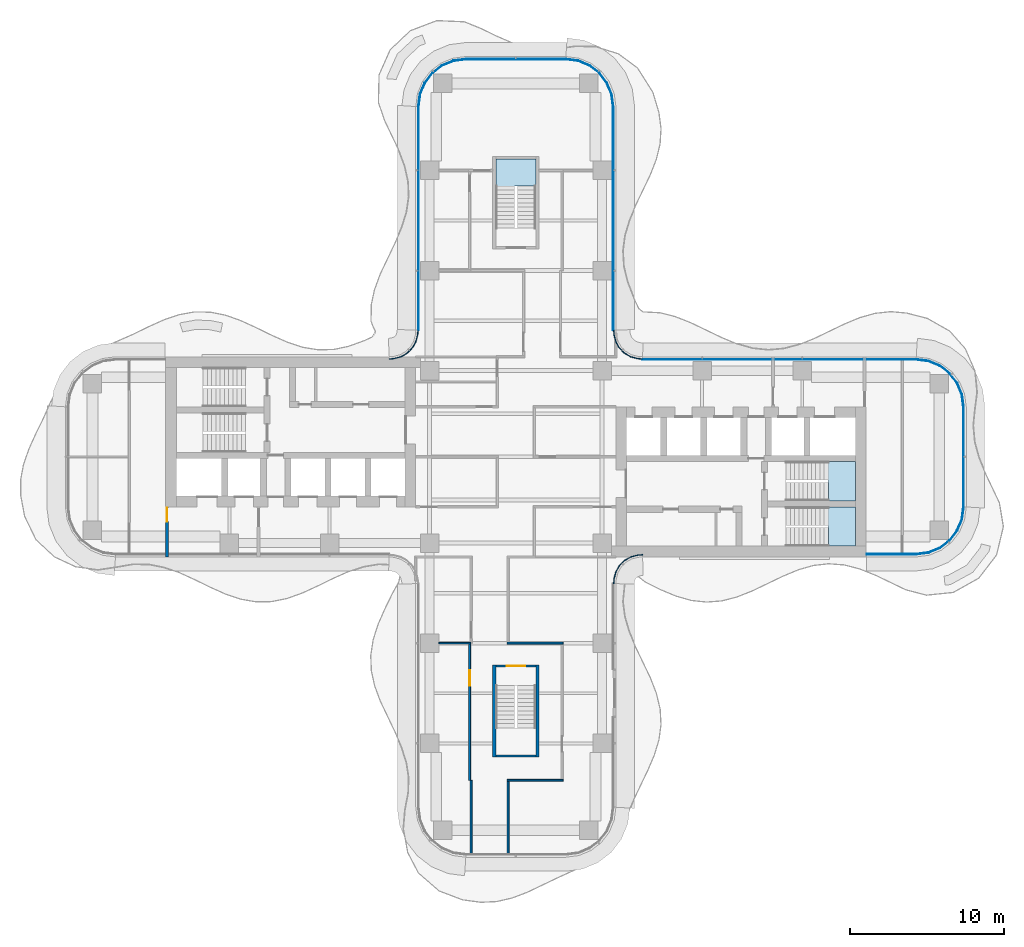
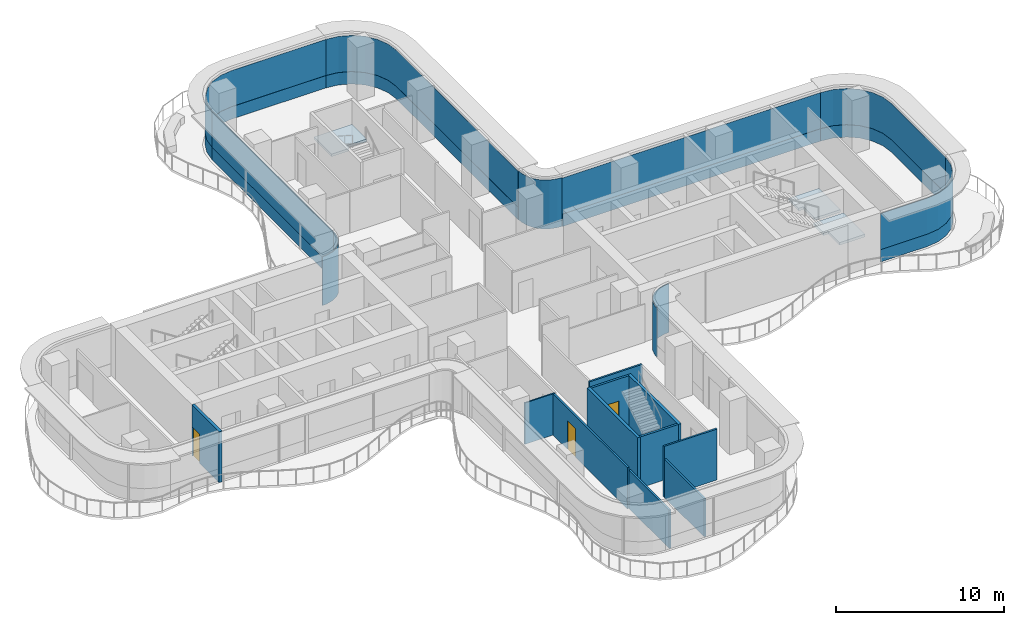
# One storey, part 11 of 17: 15 plates, 11 walls, 3 doors, 3 slabs, 3 openings, 12 elements without a shape of their own.
"""IFC4 building model written with IfcOpenShell, lengths in metres."""

from ifc_helpers import new_model, si_unit, direction, frame, frame_2d, origin, place, context, subcontext, project, spatial, polyline, rectangle, outline, extrude, source, transform, mapped, material, layer, layer_set, type_object, element, fill, aggregate, save


model = new_model("IFC4")

# Units and contexts
model_context = context("Model", 3, precision=1e-05, world=origin(), true_north=direction((0.0, 1.0)))
body_context = subcontext(model_context, "Body", "Model", "MODEL_VIEW")
ifc_project = project(units=[si_unit("LENGTHUNIT", "METRE"), si_unit("AREAUNIT", "SQUARE_METRE"), si_unit("VOLUMEUNIT", "CUBIC_METRE"), si_unit("PLANEANGLEUNIT", "RADIAN"), si_unit("MASSUNIT", "GRAM", prefix="KILO")], contexts=[model_context])

# Site, building, storey
site_placement = place(None, origin())
site = spatial("IfcSite", under=ifc_project, at=site_placement, CompositionType="ELEMENT")
building_placement = place(site_placement, origin())
building = spatial("IfcBuilding", under=site, at=building_placement, Name="Trellis Farm Tower", CompositionType="ELEMENT")
storey_placement = place(building_placement, frame((0.0, 0.0, 165.89990234375)))
storey = spatial("IfcBuildingStorey", under=building, at=storey_placement, Name="L35", CompositionType="ELEMENT", Elevation=165.89990234375)

# Curtain wall, plates
ifc_material_1 = material(Name="Aluminium and glass curtain wall", Category="aluminium")
ifc_layer_1 = layer(ifc_material_1, 0.18994140625)
ifc_layer_set_1 = layer_set([ifc_layer_1], Name="RIBBON CURTAIN WALL CW1")
curtain_wall_type_1 = type_object("IfcCurtainWallType", Name="RIBBON CURTAIN WALL CW1", PredefinedType="NOTDEFINED", material=ifc_layer_set_1)
placement_1 = place(storey_placement, origin())
curtain_wall_1 = element("IfcCurtainWall", 1, at=placement_1, inside=storey, type_object=curtain_wall_type_1, Name="CW1 009", PredefinedType="NOTDEFINED")
ifc_material_2 = material(Name="Clear insulated glass", Category="glass")
ifc_layer_2 = layer(ifc_material_2, 0.0400390625)
ifc_layer_set_2 = layer_set([ifc_layer_2], Name="CW1 GLASS PANEL 40")
plate_type_1 = type_object("IfcPlateType", Name="CW1 GLASS PANEL 40", PredefinedType="CURTAIN_PANEL", material=ifc_layer_set_2)
placement_2 = place(storey_placement, frame((0.0, 0.0, 0.900146484375)))
plate_1 = element("IfcPlate", 2, at=placement_2, type_object=plate_type_1, Name="PL1 009", PredefinedType="CURTAIN_PANEL", context=body_context, shape_type="SweptSolid", body=[
    extrude(outline(polyline([(6.35009765625, 8.2265625), (6.35009765625, 22.740234375), (6.2431640625, 23.552001953125), (5.93359375, 24.29931640625), (5.441162109375, 24.941162109375), (4.79931640625, 25.43359375), (4.052001953125, 25.7431640625), (3.240234375, 25.85009765625), (3.237548828125, 25.81005859375), (4.04150390625, 25.7041015625), (4.779296875, 25.398681640625), (5.41259765625, 24.91259765625), (5.898681640625, 24.279296875), (6.2041015625, 23.54150390625), (6.31005859375, 22.737548828125), (6.31005859375, 8.22509765625), (6.35009765625, 8.2265625)])), origin(), (0.0, 0.0, 1.0), 2.619873046875),
])
ifc_material_3 = material(Name="Sandstone faced insulated panel", Category="masonry")
ifc_layer_3 = layer(ifc_material_3, 0.050048828125)
ifc_layer_set_3 = layer_set([ifc_layer_3], Name="CW1 STONE SPANDREL PANEL 50")
plate_type_2 = type_object("IfcPlateType", Name="CW1 STONE SPANDREL PANEL 50", PredefinedType="CURTAIN_PANEL", material=ifc_layer_set_3)
plate_2 = element("IfcPlate", 3, at=placement_1, type_object=plate_type_2, Name="PS1 009", PredefinedType="CURTAIN_PANEL", context=body_context, shape_type="SweptSolid", body=[
    extrude(outline(polyline([(6.35009765625, 8.2265625), (6.35009765625, 22.740234375), (6.2431640625, 23.552001953125), (5.93359375, 24.29931640625), (5.441162109375, 24.941162109375), (4.79931640625, 25.43359375), (4.052001953125, 25.7431640625), (3.240234375, 25.85009765625), (3.23681640625, 25.800048828125), (4.0390625, 25.6943359375), (4.774169921875, 25.389892578125), (5.405517578125, 24.905517578125), (5.889892578125, 24.274169921875), (6.1943359375, 23.5390625), (6.300048828125, 22.73681640625), (6.300048828125, 8.224853515625), (6.35009765625, 8.2265625)])), origin(), (0.0, 0.0, 1.0), 0.900146484375),
])
aggregate(curtain_wall_1, [plate_1, plate_2])

# Stair, slab
ifc_material_4 = material(Name="Concrete C50/60", Category="concrete")
stair_type = type_object("IfcStairType", Name="CORE EXIT STAIR 22 RISERS 177 MM", PredefinedType="HALF_TURN_STAIR", material=ifc_material_4)
stair_1 = element("IfcStair", 4, at=placement_1, inside=storey, type_object=stair_type, Name="Exit stair N", PredefinedType="HALF_TURN_STAIR")
ifc_layer_4 = layer(ifc_material_4, 0.18994140625)
ifc_layer_set_4 = layer_set([ifc_layer_4], Name="CORE STAIR LANDING 190 CONCRETE C50/60")
slab_type = type_object("IfcSlabType", Name="CORE STAIR LANDING 190 CONCRETE C50/60", PredefinedType="LANDING", material=ifc_layer_set_4)
shared_shape_1 = source(origin(), body_context, "Body", "SweptSolid", [
    extrude(outline(polyline([(-0.10009765625, 17.27197265625), (-1.300048828125, 17.27197265625), (-1.300048828125, 17.60009765625), (-1.300048828125, 19.35009765625), (1.300048828125, 19.35009765625), (1.300048828125, 17.60009765625), (1.300048828125, 17.590087890625), (0.10009765625, 17.590087890625), (0.10009765625, 17.60009765625), (-0.10009765625, 17.60009765625), (-0.10009765625, 17.27197265625)])), origin(), (0.0, 0.0, 1.0), 0.190185546875),
])
placement_3 = place(storey_placement, frame((0.0, 0.0, 1.760009765625)))
slab_1 = element("IfcSlab", 5, at=placement_3, type_object=slab_type, Name="STN landing 1", PredefinedType="LANDING", context=body_context, shape_type="MappedRepresentation", body=[
    mapped(shared_shape_1, transform((0.0, 0.0, 0.0))),
])
aggregate(stair_1, [slab_1])

stair_2 = element("IfcStair", 6, at=placement_1, inside=storey, type_object=stair_type, Name="Exit stair E1", PredefinedType="HALF_TURN_STAIR")
shared_shape_2 = source(origin(), body_context, "Body", "SweptSolid", [
    extrude(outline(polyline([(20.2900390625, -5.800048828125), (20.2900390625, -4.60009765625), (20.300048828125, -4.60009765625), (20.300048828125, -4.449951171875), (19.971923828125, -4.449951171875), (19.971923828125, -3.25), (20.300048828125, -3.25), (22.050048828125, -3.25), (22.050048828125, -5.800048828125), (20.300048828125, -5.800048828125), (20.2900390625, -5.800048828125)])), origin(), (0.0, 0.0, 1.0), 0.190185546875),
])
slab_2 = element("IfcSlab", 7, at=placement_3, type_object=slab_type, Name="STE1 landing 1", PredefinedType="LANDING", context=body_context, shape_type="MappedRepresentation", body=[
    mapped(shared_shape_2, transform((0.0, 0.0, 0.0))),
])
aggregate(stair_2, [slab_2])

stair_3 = element("IfcStair", 8, at=placement_1, inside=storey, type_object=stair_type, Name="Exit stair E2", PredefinedType="HALF_TURN_STAIR")
shared_shape_3 = source(origin(), body_context, "Body", "SweptSolid", [
    extrude(outline(polyline([(20.2900390625, -2.85009765625), (20.2900390625, -1.64990234375), (20.300048828125, -1.64990234375), (20.300048828125, -1.5), (19.971923828125, -1.5), (19.971923828125, -0.300048828125), (20.300048828125, -0.300048828125), (22.050048828125, -0.300048828125), (22.050048828125, -2.85009765625), (20.300048828125, -2.85009765625), (20.2900390625, -2.85009765625)])), origin(), (0.0, 0.0, 1.0), 0.190185546875),
])
slab_3 = element("IfcSlab", 9, at=placement_3, type_object=slab_type, Name="STE2 landing 1", PredefinedType="LANDING", context=body_context, shape_type="MappedRepresentation", body=[
    mapped(shared_shape_3, transform((0.0, 0.0, 0.0))),
])
aggregate(stair_3, [slab_3])

# Curtain wall, plate
ifc_layer_5 = layer(ifc_material_1, 0.166015625)
ifc_layer_set_5 = layer_set([ifc_layer_5], Name="WINTER GARDEN CURTAIN WALL CW3")
curtain_wall_type_2 = type_object("IfcCurtainWallType", Name="WINTER GARDEN CURTAIN WALL CW3", PredefinedType="NOTDEFINED", material=ifc_layer_set_5)
curtain_wall_2 = element("IfcCurtainWall", 10, at=placement_1, inside=storey, type_object=curtain_wall_type_2, Name="CW3 002", PredefinedType="NOTDEFINED")
ifc_layer_6 = layer(ifc_material_2, 0.0458984375)
ifc_layer_set_6 = layer_set([ifc_layer_6], Name="CW3 GLASS PANEL 46")
plate_type_3 = type_object("IfcPlateType", Name="CW3 GLASS PANEL 46", PredefinedType="CURTAIN_PANEL", material=ifc_layer_set_6)
shared_shape_4 = source(origin(), body_context, "Body", "SweptSolid", [
    extrude(outline(polyline([(6.3798828125, -8.2275390625), (6.394287109375, -8.0078125), (6.40966796875, -7.89208984375), (6.52490234375, -7.462158203125), (6.7509765625, -7.070556640625), (7.070556640625, -6.7509765625), (7.462158203125, -6.52490234375), (7.89208984375, -6.40966796875), (8.0078125, -6.394287109375), (8.2275390625, -6.3798828125), (8.22607421875, -6.333984375), (8.003173828125, -6.3486328125), (7.883056640625, -6.364501953125), (7.4443359375, -6.48193359375), (7.04248046875, -6.714111328125), (6.714111328125, -7.04248046875), (6.48193359375, -7.4443359375), (6.364501953125, -7.883056640625), (6.3486328125, -8.003173828125), (6.333984375, -8.22607421875), (6.3798828125, -8.2275390625)])), origin(), (0.0, 0.0, 1.0), 3.550048828125),
])
plate_3 = element("IfcPlate", 11, at=placement_1, type_object=plate_type_3, Name="PL3 002", PredefinedType="CURTAIN_PANEL", context=body_context, shape_type="MappedRepresentation", body=[
    mapped(shared_shape_4, transform((0.0, 0.0, 0.0))),
])
aggregate(curtain_wall_2, [plate_3])

curtain_wall_3 = element("IfcCurtainWall", 12, at=placement_1, inside=storey, type_object=curtain_wall_type_2, Name="CW3 003", PredefinedType="NOTDEFINED")
shared_shape_5 = source(origin(), body_context, "Body", "SweptSolid", [
    extrude(outline(polyline([(8.2275390625, 6.3798828125), (8.0078125, 6.394287109375), (7.89208984375, 6.40966796875), (7.462158203125, 6.52490234375), (7.070556640625, 6.7509765625), (6.7509765625, 7.070556640625), (6.52490234375, 7.462158203125), (6.40966796875, 7.89208984375), (6.394287109375, 8.0078125), (6.3798828125, 8.2275390625), (6.333984375, 8.22607421875), (6.3486328125, 8.003173828125), (6.364501953125, 7.883056640625), (6.48193359375, 7.4443359375), (6.714111328125, 7.04248046875), (7.04248046875, 6.714111328125), (7.4443359375, 6.48193359375), (7.883056640625, 6.364501953125), (8.003173828125, 6.3486328125), (8.22607421875, 6.333984375), (8.2275390625, 6.3798828125)])), origin(), (0.0, 0.0, 1.0), 3.550048828125),
])
plate_4 = element("IfcPlate", 13, at=placement_1, type_object=plate_type_3, Name="PL3 003", PredefinedType="CURTAIN_PANEL", context=body_context, shape_type="MappedRepresentation", body=[
    mapped(shared_shape_5, transform((0.0, 0.0, 0.0))),
])
aggregate(curtain_wall_3, [plate_4])

curtain_wall_4 = element("IfcCurtainWall", 14, at=placement_1, inside=storey, type_object=curtain_wall_type_2, Name="CW3 004", PredefinedType="NOTDEFINED")
shared_shape_6 = source(origin(), body_context, "Body", "SweptSolid", [
    extrude(outline(polyline([(-6.3798828125, 8.2275390625), (-6.394287109375, 8.0078125), (-6.40966796875, 7.89208984375), (-6.52490234375, 7.462158203125), (-6.7509765625, 7.070556640625), (-7.070556640625, 6.7509765625), (-7.462158203125, 6.52490234375), (-7.89208984375, 6.40966796875), (-8.0078125, 6.394287109375), (-8.2275390625, 6.3798828125), (-8.22607421875, 6.333984375), (-8.003173828125, 6.3486328125), (-7.883056640625, 6.364501953125), (-7.4443359375, 6.48193359375), (-7.04248046875, 6.714111328125), (-6.714111328125, 7.04248046875), (-6.48193359375, 7.4443359375), (-6.364501953125, 7.883056640625), (-6.3486328125, 8.003173828125), (-6.333984375, 8.22607421875), (-6.3798828125, 8.2275390625)])), origin(), (0.0, 0.0, 1.0), 3.550048828125),
])
plate_5 = element("IfcPlate", 15, at=placement_1, type_object=plate_type_3, Name="PL3 004", PredefinedType="CURTAIN_PANEL", context=body_context, shape_type="MappedRepresentation", body=[
    mapped(shared_shape_6, transform((0.0, 0.0, 0.0))),
])
aggregate(curtain_wall_4, [plate_5])

# Curtain wall, plates
curtain_wall_5 = element("IfcCurtainWall", 16, at=placement_1, inside=storey, type_object=curtain_wall_type_1, Name="CW1 006", PredefinedType="NOTDEFINED")
shared_shape_7 = source(origin(), body_context, "Body", "SweptSolid", [
    extrude(outline(polyline([(22.780029296875, -6.35009765625), (25.990234375, -6.35009765625), (26.802001953125, -6.2431640625), (27.54931640625, -5.93359375), (28.191162109375, -5.441162109375), (28.68359375, -4.79931640625), (28.9931640625, -4.052001953125), (29.10009765625, -3.240234375), (29.06005859375, -3.237548828125), (28.9541015625, -4.04150390625), (28.648681640625, -4.779296875), (28.16259765625, -5.41259765625), (27.529296875, -5.898681640625), (26.79150390625, -6.2041015625), (25.987548828125, -6.31005859375), (22.780029296875, -6.31005859375), (22.780029296875, -6.35009765625)])), origin(), (0.0, 0.0, 1.0), 2.619873046875),
])
plate_6 = element("IfcPlate", 17, at=placement_2, type_object=plate_type_1, Name="PL1 006", PredefinedType="CURTAIN_PANEL", context=body_context, shape_type="MappedRepresentation", body=[
    mapped(shared_shape_7, transform((0.0, 0.0, 0.0))),
])
shared_shape_8 = source(origin(), body_context, "Body", "SweptSolid", [
    extrude(outline(polyline([(22.780029296875, -6.35009765625), (25.990234375, -6.35009765625), (26.802001953125, -6.2431640625), (27.54931640625, -5.93359375), (28.191162109375, -5.441162109375), (28.68359375, -4.79931640625), (28.9931640625, -4.052001953125), (29.10009765625, -3.240234375), (29.050048828125, -3.23681640625), (28.9443359375, -4.0390625), (28.639892578125, -4.774169921875), (28.155517578125, -5.405517578125), (27.524169921875, -5.889892578125), (26.7890625, -6.1943359375), (25.98681640625, -6.300048828125), (22.780029296875, -6.300048828125), (22.780029296875, -6.35009765625)])), origin(), (0.0, 0.0, 1.0), 0.900146484375),
])
plate_7 = element("IfcPlate", 18, at=placement_1, type_object=plate_type_2, Name="PS1 006", PredefinedType="CURTAIN_PANEL", context=body_context, shape_type="MappedRepresentation", body=[
    mapped(shared_shape_8, transform((0.0, 0.0, 0.0))),
])
aggregate(curtain_wall_5, [plate_6, plate_7])

curtain_wall_6 = element("IfcCurtainWall", 19, at=placement_1, inside=storey, type_object=curtain_wall_type_1, Name="CW1 007", PredefinedType="NOTDEFINED")
shared_shape_9 = source(origin(), body_context, "Body", "SweptSolid", [
    extrude(outline(polyline([(29.10009765625, -3.240234375), (29.10009765625, 3.240234375), (28.9931640625, 4.052001953125), (28.68359375, 4.79931640625), (28.191162109375, 5.441162109375), (27.54931640625, 5.93359375), (26.802001953125, 6.2431640625), (25.990234375, 6.35009765625), (25.987548828125, 6.31005859375), (26.79150390625, 6.2041015625), (27.529296875, 5.898681640625), (28.16259765625, 5.41259765625), (28.648681640625, 4.779296875), (28.9541015625, 4.04150390625), (29.06005859375, 3.237548828125), (29.06005859375, -3.237548828125), (29.10009765625, -3.240234375)])), origin(), (0.0, 0.0, 1.0), 2.619873046875),
])
plate_8 = element("IfcPlate", 20, at=placement_2, type_object=plate_type_1, Name="PL1 007", PredefinedType="CURTAIN_PANEL", context=body_context, shape_type="MappedRepresentation", body=[
    mapped(shared_shape_9, transform((0.0, 0.0, 0.0))),
])
shared_shape_10 = source(origin(), body_context, "Body", "SweptSolid", [
    extrude(outline(polyline([(29.10009765625, -3.240234375), (29.10009765625, 3.240234375), (28.9931640625, 4.052001953125), (28.68359375, 4.79931640625), (28.191162109375, 5.441162109375), (27.54931640625, 5.93359375), (26.802001953125, 6.2431640625), (25.990234375, 6.35009765625), (25.98681640625, 6.300048828125), (26.7890625, 6.1943359375), (27.524169921875, 5.889892578125), (28.155517578125, 5.405517578125), (28.639892578125, 4.774169921875), (28.9443359375, 4.0390625), (29.050048828125, 3.23681640625), (29.050048828125, -3.23681640625), (29.10009765625, -3.240234375)])), origin(), (0.0, 0.0, 1.0), 0.900146484375),
])
plate_9 = element("IfcPlate", 21, at=placement_1, type_object=plate_type_2, Name="PS1 007", PredefinedType="CURTAIN_PANEL", context=body_context, shape_type="MappedRepresentation", body=[
    mapped(shared_shape_10, transform((0.0, 0.0, 0.0))),
])
aggregate(curtain_wall_6, [plate_8, plate_9])

curtain_wall_7 = element("IfcCurtainWall", 22, at=placement_1, inside=storey, type_object=curtain_wall_type_1, Name="CW1 008", PredefinedType="NOTDEFINED")
shared_shape_11 = source(origin(), body_context, "Body", "SweptSolid", [
    extrude(outline(polyline([(25.990234375, 6.35009765625), (8.2265625, 6.35009765625), (8.22509765625, 6.31005859375), (25.987548828125, 6.31005859375), (25.990234375, 6.35009765625)])), origin(), (0.0, 0.0, 1.0), 2.619873046875),
])
plate_10 = element("IfcPlate", 23, at=placement_2, type_object=plate_type_1, Name="PL1 008", PredefinedType="CURTAIN_PANEL", context=body_context, shape_type="MappedRepresentation", body=[
    mapped(shared_shape_11, transform((0.0, 0.0, 0.0))),
])
shared_shape_12 = source(origin(), body_context, "Body", "SweptSolid", [
    extrude(outline(polyline([(25.990234375, 6.35009765625), (8.2265625, 6.35009765625), (8.224853515625, 6.300048828125), (25.98681640625, 6.300048828125), (25.990234375, 6.35009765625)])), origin(), (0.0, 0.0, 1.0), 0.900146484375),
])
plate_11 = element("IfcPlate", 24, at=placement_1, type_object=plate_type_2, Name="PS1 008", PredefinedType="CURTAIN_PANEL", context=body_context, shape_type="MappedRepresentation", body=[
    mapped(shared_shape_12, transform((0.0, 0.0, 0.0))),
])
aggregate(curtain_wall_7, [plate_10, plate_11])

curtain_wall_8 = element("IfcCurtainWall", 25, at=placement_1, inside=storey, type_object=curtain_wall_type_1, Name="CW1 010", PredefinedType="NOTDEFINED")
shared_shape_13 = source(origin(), body_context, "Body", "SweptSolid", [
    extrude(outline(polyline([(3.240234375, 25.85009765625), (-3.240234375, 25.85009765625), (-4.052001953125, 25.7431640625), (-4.79931640625, 25.43359375), (-5.441162109375, 24.941162109375), (-5.93359375, 24.29931640625), (-6.2431640625, 23.552001953125), (-6.35009765625, 22.740234375), (-6.31005859375, 22.737548828125), (-6.2041015625, 23.54150390625), (-5.898681640625, 24.279296875), (-5.41259765625, 24.91259765625), (-4.779296875, 25.398681640625), (-4.04150390625, 25.7041015625), (-3.237548828125, 25.81005859375), (3.237548828125, 25.81005859375), (3.240234375, 25.85009765625)])), origin(), (0.0, 0.0, 1.0), 2.619873046875),
])
plate_12 = element("IfcPlate", 26, at=placement_2, type_object=plate_type_1, Name="PL1 010", PredefinedType="CURTAIN_PANEL", context=body_context, shape_type="MappedRepresentation", body=[
    mapped(shared_shape_13, transform((0.0, 0.0, 0.0))),
])
shared_shape_14 = source(origin(), body_context, "Body", "SweptSolid", [
    extrude(outline(polyline([(3.240234375, 25.85009765625), (-3.240234375, 25.85009765625), (-4.052001953125, 25.7431640625), (-4.79931640625, 25.43359375), (-5.441162109375, 24.941162109375), (-5.93359375, 24.29931640625), (-6.2431640625, 23.552001953125), (-6.35009765625, 22.740234375), (-6.300048828125, 22.73681640625), (-6.1943359375, 23.5390625), (-5.889892578125, 24.274169921875), (-5.405517578125, 24.905517578125), (-4.774169921875, 25.389892578125), (-4.0390625, 25.6943359375), (-3.23681640625, 25.800048828125), (3.23681640625, 25.800048828125), (3.240234375, 25.85009765625)])), origin(), (0.0, 0.0, 1.0), 0.900146484375),
])
plate_13 = element("IfcPlate", 27, at=placement_1, type_object=plate_type_2, Name="PS1 010", PredefinedType="CURTAIN_PANEL", context=body_context, shape_type="MappedRepresentation", body=[
    mapped(shared_shape_14, transform((0.0, 0.0, 0.0))),
])
aggregate(curtain_wall_8, [plate_12, plate_13])

curtain_wall_9 = element("IfcCurtainWall", 28, at=placement_1, inside=storey, type_object=curtain_wall_type_1, Name="CW1 011", PredefinedType="NOTDEFINED")
shared_shape_15 = source(origin(), body_context, "Body", "SweptSolid", [
    extrude(outline(polyline([(-6.35009765625, 22.740234375), (-6.35009765625, 8.2265625), (-6.31005859375, 8.22509765625), (-6.31005859375, 22.737548828125), (-6.35009765625, 22.740234375)])), origin(), (0.0, 0.0, 1.0), 2.619873046875),
])
plate_14 = element("IfcPlate", 29, at=placement_2, type_object=plate_type_1, Name="PL1 011", PredefinedType="CURTAIN_PANEL", context=body_context, shape_type="MappedRepresentation", body=[
    mapped(shared_shape_15, transform((0.0, 0.0, 0.0))),
])
shared_shape_16 = source(origin(), body_context, "Body", "SweptSolid", [
    extrude(outline(polyline([(-6.35009765625, 22.740234375), (-6.35009765625, 8.2265625), (-6.300048828125, 8.224853515625), (-6.300048828125, 22.73681640625), (-6.35009765625, 22.740234375)])), origin(), (0.0, 0.0, 1.0), 0.900146484375),
])
plate_15 = element("IfcPlate", 30, at=placement_1, type_object=plate_type_2, Name="PS1 011", PredefinedType="CURTAIN_PANEL", context=body_context, shape_type="MappedRepresentation", body=[
    mapped(shared_shape_16, transform((0.0, 0.0, 0.0))),
])
aggregate(curtain_wall_9, [plate_14, plate_15])

# Wall, opening, door
ifc_material_5 = material(Name="Masonry blockwork", Category="masonry")
ifc_layer_7 = layer(ifc_material_5, 0.199951171875)
ifc_layer_set_7 = layer_set([ifc_layer_7], Name="FIRE LOBBY PARTITION 200 BLOCKWORK")
wall_type_1 = type_object("IfcWallType", Name="FIRE LOBBY PARTITION 200 BLOCKWORK", PredefinedType="PARTITIONING", material=ifc_layer_set_7)
shared_shape_17 = source(origin(), body_context, "Body", "SweptSolid", [
    extrude(rectangle(XDim=3.25, YDim=0.199951171875, at=frame_2d((1.625, 0.0))), origin(), (0.0, 0.0, 1.0), 3.7001953125),
])
wall_1_placement = place(storey_placement, frame((-22.64990234375, -3.25, 0.0), z_axis=(0.0, 0.0, 1.0), x_axis=(0.0, -1.0, 0.0)))
wall_1 = element("IfcWall", 31, at=wall_1_placement, inside=storey, type_object=wall_type_1, Name="Fire-fighting lobby partition", PredefinedType="PARTITIONING", context=body_context, shape_type="MappedRepresentation", body=[
    mapped(shared_shape_17, transform((0.0, 0.0, 0.0))),
])
shared_shape_18 = source(origin(), body_context, "Body", "SweptSolid", [
    extrude(rectangle(XDim=0.89990234375, YDim=2.10009765625, at=frame_2d((0.449951171875, 1.050048828125))), frame((0.0, 0.110107421875, 0.0), z_axis=(0.0, -1.0, 0.0), x_axis=(1.0, 0.0, 0.0)), (0.0, 0.0, 1.0), 0.22021484375),
])
opening_1_placement = place(wall_1_placement, frame((0.050048828125, 0.0, 0.0)))
opening_1 = element("IfcOpeningElement", 32, at=opening_1_placement, cuts=wall_1, Name="Opening DC94", PredefinedType="OPENING", context=body_context, shape_type="MappedRepresentation", body=[
    mapped(shared_shape_18, transform((0.0, 0.0, 0.0))),
])
ifc_material_6 = material(Name="Steel", Category="steel")
door_type_1 = type_object("IfcDoorType", Name="CORE FIRE DOOR 900 X 2100", OperationType="NOTDEFINED", PredefinedType="DOOR", material=ifc_material_6)
shared_shape_19 = source(origin(), body_context, "Body", "SweptSolid", [
    extrude(rectangle(XDim=0.89990234375, YDim=2.10009765625, at=frame_2d((0.449951171875, 1.050048828125))), frame((0.0, 0.02490234375, 0.0), z_axis=(0.0, -1.0, 0.0), x_axis=(1.0, 0.0, 0.0)), (0.0, 0.0, 1.0), 0.050048828125),
])
door_1_placement = place(opening_1_placement, origin())
door_1 = element("IfcDoor", 33, at=door_1_placement, inside=storey, type_object=door_type_1, Name="Core door", OperationType="SINGLE_SWING_RIGHT", OverallHeight=2.10009765625, OverallWidth=0.89990234375, PredefinedType="DOOR", context=body_context, shape_type="MappedRepresentation", body=[
    mapped(shared_shape_19, transform((0.0, 0.0, 0.0))),
])
fill(opening_1, door_1)

# Walls
ifc_material_7 = material(Name="Concrete C70/85", Category="concrete")
ifc_layer_8 = layer(ifc_material_7, 0.199951171875)
ifc_layer_set_8 = layer_set([ifc_layer_8], Name="CORE STAIR ENCLOSURE WALL 200 CONCRETE C70/85")
wall_type_2 = type_object("IfcWallType", Name="CORE STAIR ENCLOSURE WALL 200 CONCRETE C70/85", PredefinedType="SHEAR", material=ifc_layer_set_8)
shared_shape_20 = source(origin(), body_context, "Body", "SweptSolid", [
    extrude(rectangle(XDim=6.0, YDim=0.199951171875, at=frame_2d((3.0, 0.0))), origin(), (0.0, 0.0, 1.0), 3.7001953125),
])
for number, where, z_axis, x_axis, name in (
    (34, (1.39990234375, -13.5, 0.0), (0.0, 0.0, 1.0), (0.0, -1.0, 0.0), "Stair enclosure wall"),
    (35, (-1.39990234375, -13.5, 0.0), (0.0, 0.0, 1.0), (0.0, -1.0, 0.0), "Stair enclosure wall"),
):
    element("IfcWall", number, at=place(storey_placement, frame(where, z_axis=z_axis, x_axis=x_axis)), inside=storey, type_object=wall_type_2, Name=name, PredefinedType="SHEAR", context=body_context, shape_type="MappedRepresentation", body=[
        mapped(shared_shape_20, transform((0.0, 0.0, 0.0))),
    ])

# Wall, opening, door
ifc_layer_9 = layer(ifc_material_7, 0.14990234375)
ifc_layer_set_9 = layer_set([ifc_layer_9], Name="CORE STAIR ENCLOSURE WALL 150 CONCRETE C70/85")
wall_type_3 = type_object("IfcWallType", Name="CORE STAIR ENCLOSURE WALL 150 CONCRETE C70/85", PredefinedType="SHEAR", material=ifc_layer_set_9)
shared_shape_21 = source(origin(), body_context, "Body", "SweptSolid", [
    extrude(rectangle(XDim=2.60009765625, YDim=0.14990234375, at=frame_2d((1.300048828125, 0.0))), origin(), (0.0, 0.0, 1.0), 3.7001953125),
])
wall_2_placement = place(storey_placement, frame((1.300048828125, -13.574951171875, 0.0), z_axis=(0.0, 0.0, 1.0), x_axis=(-1.0, 0.0, 0.0)))
wall_2 = element("IfcWall", 36, at=wall_2_placement, inside=storey, type_object=wall_type_3, Name="Stair enclosure wall", PredefinedType="SHEAR", context=body_context, shape_type="MappedRepresentation", body=[
    mapped(shared_shape_21, transform((0.0, 0.0, 0.0))),
])
shared_shape_22 = source(origin(), body_context, "Body", "SweptSolid", [
    extrude(rectangle(XDim=1.199951171875, YDim=2.10009765625, at=frame_2d((0.60009765625, 1.050048828125))), frame((0.0, 0.0849609375, 0.0), z_axis=(0.0, -1.0, 0.0), x_axis=(1.0, 0.0, 0.0)), (0.0, 0.0, 1.0), 0.169921875),
])
opening_2_placement = place(wall_2_placement, frame((0.699951171875, 0.0, 0.0)))
opening_2 = element("IfcOpeningElement", 37, at=opening_2_placement, cuts=wall_2, Name="Opening DC174", PredefinedType="OPENING", context=body_context, shape_type="MappedRepresentation", body=[
    mapped(shared_shape_22, transform((0.0, 0.0, 0.0))),
])
door_type_2 = type_object("IfcDoorType", Name="CORE FIRE DOOR 1200 X 2100", OperationType="NOTDEFINED", PredefinedType="DOOR", material=ifc_material_6)
shared_shape_23 = source(origin(), body_context, "Body", "SweptSolid", [
    extrude(rectangle(XDim=1.199951171875, YDim=2.10009765625, at=frame_2d((0.60009765625, 1.050048828125))), frame((0.0, 0.02490234375, 0.0), z_axis=(0.0, -1.0, 0.0), x_axis=(1.0, 0.0, 0.0)), (0.0, 0.0, 1.0), 0.050048828125),
])
door_2_placement = place(opening_2_placement, origin())
door_2 = element("IfcDoor", 38, at=door_2_placement, inside=storey, type_object=door_type_2, Name="Core door", OperationType="SINGLE_SWING_RIGHT", OverallHeight=2.10009765625, OverallWidth=1.199951171875, PredefinedType="DOOR", context=body_context, shape_type="MappedRepresentation", body=[
    mapped(shared_shape_23, transform((0.0, 0.0, 0.0))),
])
fill(opening_2, door_2)

# Walls
wall_3_placement = place(storey_placement, frame((1.300048828125, -19.425048828125, 0.0), z_axis=(0.0, 0.0, 1.0), x_axis=(-1.0, 0.0, 0.0)))
element("IfcWall", 39, at=wall_3_placement, inside=storey, type_object=wall_type_3, Name="Stair enclosure wall", PredefinedType="SHEAR", context=body_context, shape_type="MappedRepresentation", body=[
    mapped(shared_shape_21, transform((0.0, 0.0, 0.0))),
])
ifc_material_8 = material(Name="Plasterboard on steel studs", Category="steel")
ifc_layer_10 = layer(ifc_material_8, 0.10009765625)
ifc_layer_set_10 = layer_set([ifc_layer_10], Name="PARTITION 100 STUD EI 30")
wall_type_4 = type_object("IfcWallType", Name="PARTITION 100 STUD EI 30", PredefinedType="PARTITIONING", material=ifc_layer_set_10)
shared_shape_24 = source(origin(), body_context, "Body", "SweptSolid", [
    extrude(rectangle(XDim=2.0625, YDim=0.10009765625, at=frame_2d((1.03125, 0.0))), origin(), (0.0, 0.0, 1.0), 2.99658203125),
])
wall_4_placement = place(storey_placement, frame((-5.0, -12.10009765625, 0.0), z_axis=(0.0, 0.0, 1.0), x_axis=(1.0, 0.0, 0.0)))
element("IfcWall", 40, at=wall_4_placement, inside=storey, type_object=wall_type_4, Name="Partition PW2", PredefinedType="PARTITIONING", context=body_context, shape_type="MappedRepresentation", body=[
    mapped(shared_shape_24, transform((0.0, 0.0, 0.0))),
])
ifc_material_9 = material(Name="Plasterboard on steel studs, mineral wool", Category="steel")
ifc_layer_11 = layer(ifc_material_9, 0.125)
ifc_layer_set_11 = layer_set([ifc_layer_11], Name="PARTITION 125 STUD EI 60")
wall_type_5 = type_object("IfcWallType", Name="PARTITION 125 STUD EI 60", PredefinedType="PARTITIONING", material=ifc_layer_set_11)
shared_shape_25 = source(origin(), body_context, "Body", "SweptSolid", [
    extrude(rectangle(XDim=3.625, YDim=0.125, at=frame_2d((1.8125, 0.0))), origin(), (0.0, 0.0, 1.0), 2.99658203125),
])
wall_5_placement = place(storey_placement, frame((-0.5625, -12.10009765625, 0.0), z_axis=(0.0, 0.0, 1.0), x_axis=(1.0, 0.0, 0.0)))
element("IfcWall", 41, at=wall_5_placement, inside=storey, type_object=wall_type_5, Name="Partition PW1", PredefinedType="PARTITIONING", context=body_context, shape_type="MappedRepresentation", body=[
    mapped(shared_shape_25, transform((0.0, 0.0, 0.0))),
])

# Wall, opening, door
shared_shape_26 = source(origin(), body_context, "Body", "SweptSolid", [
    extrude(rectangle(XDim=8.85009765625, YDim=0.125, at=frame_2d((4.425048828125, 0.0))), origin(), (0.0, 0.0, 1.0), 2.99658203125),
])
wall_6_placement = place(storey_placement, frame((-3.0, -21.0, 0.0), z_axis=(0.0, 0.0, 1.0), x_axis=(0.0, 1.0, 0.0)))
wall_6 = element("IfcWall", 42, at=wall_6_placement, inside=storey, type_object=wall_type_5, Name="Partition PW1", PredefinedType="PARTITIONING", context=body_context, shape_type="MappedRepresentation", body=[
    mapped(shared_shape_26, transform((0.0, 0.0, 0.0))),
])
shared_shape_27 = source(origin(), body_context, "Body", "SweptSolid", [
    extrude(rectangle(XDim=1.0, YDim=2.10009765625, at=frame_2d((0.5, 1.050048828125))), frame((0.0, 0.072509765625, 0.0), z_axis=(0.0, -1.0, 0.0), x_axis=(1.0, 0.0, 0.0)), (0.0, 0.0, 1.0), 0.14501953125),
])
opening_3_placement = place(wall_6_placement, frame((6.14990234375, 0.0, 0.0)))
opening_3 = element("IfcOpeningElement", 43, at=opening_3_placement, cuts=wall_6, Name="Opening D102", PredefinedType="OPENING", context=body_context, shape_type="MappedRepresentation", body=[
    mapped(shared_shape_27, transform((0.0, 0.0, 0.0))),
])
ifc_material_10 = material(Name="Fire-rated timber door leaf in a hollow metal frame", Category="wood")
door_type_3 = type_object("IfcDoorType", Name="DOOR 1000x2100 FD30S", OperationType="NOTDEFINED", PredefinedType="DOOR", material=ifc_material_10)
shared_shape_28 = source(origin(), body_context, "Body", "SweptSolid", [
    extrude(rectangle(XDim=1.0, YDim=2.10009765625, at=frame_2d((0.5, 1.050048828125))), frame((0.0, 0.02490234375, 0.0), z_axis=(0.0, -1.0, 0.0), x_axis=(1.0, 0.0, 0.0)), (0.0, 0.0, 1.0), 0.050048828125),
])
door_3_placement = place(opening_3_placement, origin())
door_3 = element("IfcDoor", 44, at=door_3_placement, inside=storey, type_object=door_type_3, Name="Door D102", OperationType="SINGLE_SWING_RIGHT", OverallHeight=2.10009765625, OverallWidth=1.0, PredefinedType="DOOR", context=body_context, shape_type="MappedRepresentation", body=[
    mapped(shared_shape_28, transform((0.0, 0.0, 0.0))),
])
fill(opening_3, door_3)

# Walls
shared_shape_29 = source(origin(), body_context, "Body", "SweptSolid", [
    extrude(rectangle(XDim=4.800048828125, YDim=0.125, at=frame_2d((2.39990234375, 0.0))), origin(), (0.0, 0.0, 1.0), 2.780029296875),
])
wall_7_placement = place(storey_placement, frame((-2.89990234375, -25.800048828125, 0.0), z_axis=(0.0, 0.0, 1.0), x_axis=(0.0, 1.0, 0.0)))
element("IfcWall", 45, at=wall_7_placement, inside=storey, type_object=wall_type_5, Name="Partition PW1", PredefinedType="PARTITIONING", context=body_context, shape_type="MappedRepresentation", body=[
    mapped(shared_shape_29, transform((0.0, 0.0, 0.0))),
])
shared_shape_30 = source(origin(), body_context, "Body", "SweptSolid", [
    extrude(rectangle(XDim=4.737548828125, YDim=0.125, at=frame_2d((2.36865234375, 0.0))), origin(), (0.0, 0.0, 1.0), 2.780029296875),
])
wall_8_placement = place(storey_placement, frame((-0.5, -21.0625, 0.0), z_axis=(0.0, 0.0, 1.0), x_axis=(0.0, -1.0, 0.0)))
element("IfcWall", 46, at=wall_8_placement, inside=storey, type_object=wall_type_5, Name="Partition PW1", PredefinedType="PARTITIONING", context=body_context, shape_type="MappedRepresentation", body=[
    mapped(shared_shape_30, transform((0.0, 0.0, 0.0))),
])
shared_shape_31 = source(origin(), body_context, "Body", "SweptSolid", [
    extrude(rectangle(XDim=3.625, YDim=0.125, at=frame_2d((1.8125, 0.0))), origin(), (0.0, 0.0, 1.0), 3.7001953125),
])
wall_9_placement = place(storey_placement, frame((3.0625, -21.0, 0.0), z_axis=(0.0, 0.0, 1.0), x_axis=(-1.0, 0.0, 0.0)))
element("IfcWall", 47, at=wall_9_placement, inside=storey, type_object=wall_type_5, Name="Partition PW1", PredefinedType="PARTITIONING", context=body_context, shape_type="MappedRepresentation", body=[
    mapped(shared_shape_31, transform((0.0, 0.0, 0.0))),
])

save(model, "model.ifc")
